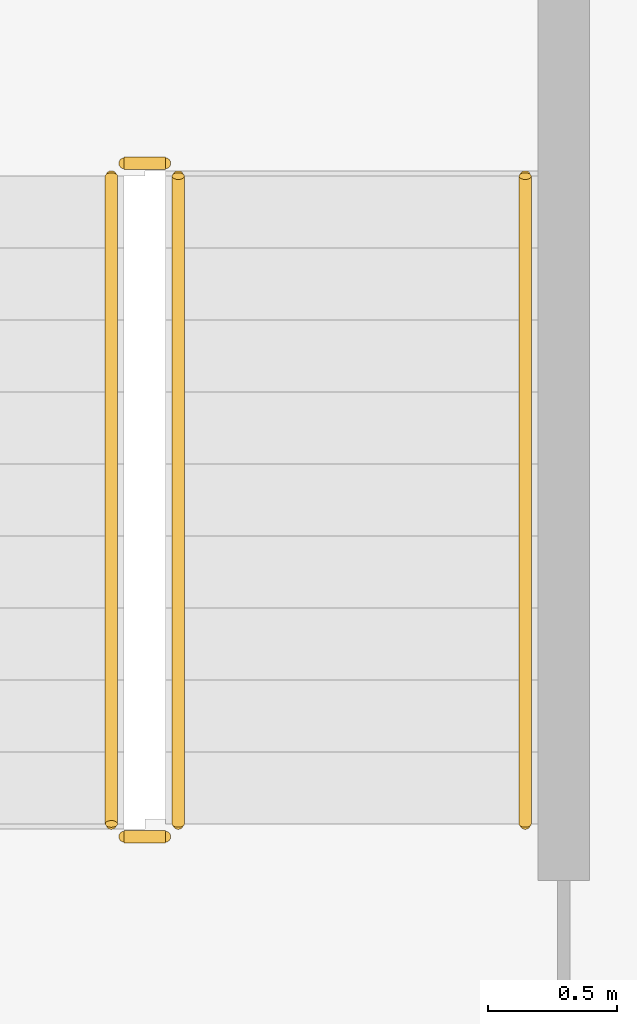
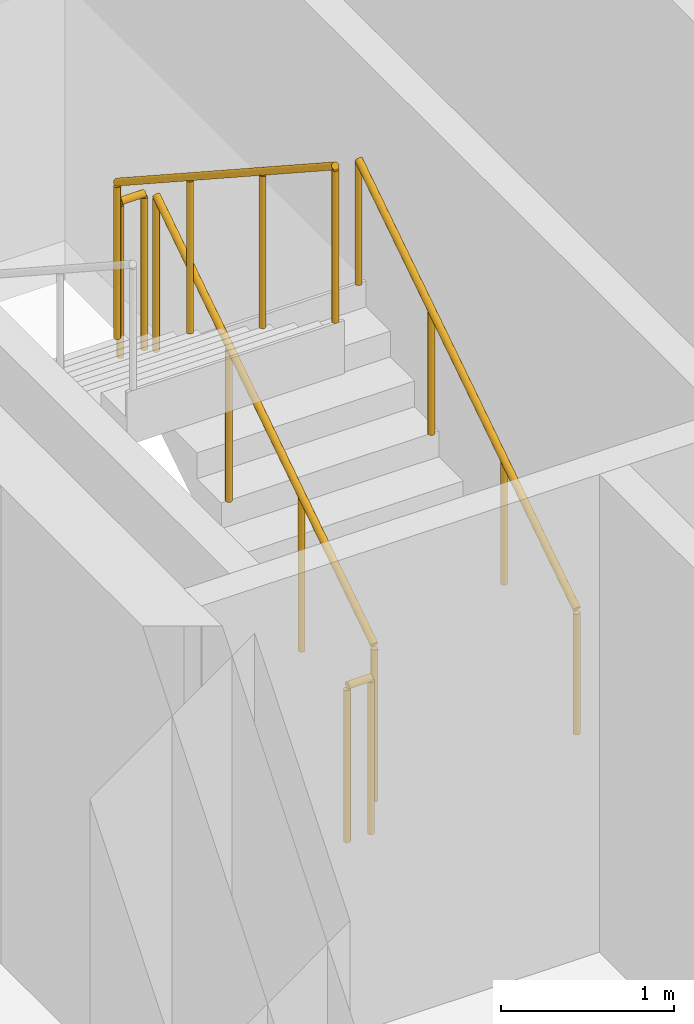
# One storey, part 12 of 14: 5 railings.
"""IFC4 building model written with IfcOpenShell, lengths in metres."""

from ifc_helpers import new_model, si_unit, direction, frame, origin, origin_2d, place, context, subcontext, project, spatial, circle, extrude, material, type_object, element, save


model = new_model("IFC4")

# Units and contexts
model_context = context("Model", 3, precision=1e-05, world=origin(), true_north=direction((0.0, 1.0)))
body_context = subcontext(model_context, "Body", "Model", "MODEL_VIEW")
ifc_project = project(units=[si_unit("LENGTHUNIT", "METRE"), si_unit("AREAUNIT", "SQUARE_METRE"), si_unit("VOLUMEUNIT", "CUBIC_METRE"), si_unit("PLANEANGLEUNIT", "RADIAN"), si_unit("MASSUNIT", "GRAM", prefix="KILO")], contexts=[model_context])

# Site, building, storey
site_placement = place(None, origin())
site = spatial("IfcSite", under=ifc_project, at=site_placement, CompositionType="ELEMENT")
building_placement = place(site_placement, origin())
building = spatial("IfcBuilding", under=site, at=building_placement, Name="Nuvemarco Arch Tower", CompositionType="ELEMENT")
storey_placement = place(building_placement, frame((0.0, 0.0, 109.25)))
storey = spatial("IfcBuildingStorey", under=building, at=storey_placement, Name="L28", CompositionType="ELEMENT", Elevation=109.25)

# Railings
ifc_material_1 = material(Name="Brushed stainless steel handrail", Category="steel")
railing_type_1 = type_object("IfcRailingType", Name="RL-HANDRAIL-900", PredefinedType="HANDRAIL", material=ifc_material_1)
railing_1_placement = place(storey_placement, frame((-13.590087890625, 2.64990234375, 0.1826171875)))
element("IfcRailing", 1, at=railing_1_placement, inside=storey, type_object=railing_type_1, Name="L28 ST-1 stair handrail 1", PredefinedType="HANDRAIL", context=body_context, shape_type="SweptSolid", body=[
    extrude(circle(Radius=0.02392578125, at=origin_2d()), frame((0.0, 0.0, 0.8759765625), z_axis=(0.0, 0.837786554691, 0.545997883492), x_axis=(-1.0, 0.0, 0.0)), (0.0, 0.0, 1.0), 3.008056640625),
    extrude(circle(Radius=0.02099609375, at=origin_2d()), origin(), (0.0, 0.0, 1.0), 0.851806640625),
    extrude(circle(Radius=0.02099609375, at=origin_2d()), frame((0.0, 0.840087890625, 0.54736328125)), (0.0, 0.0, 1.0), 0.851806640625),
    extrude(circle(Radius=0.02099609375, at=origin_2d()), frame((0.0, 1.679931640625, 1.094970703125)), (0.0, 0.0, 1.0), 0.851806640625),
    extrude(circle(Radius=0.02099609375, at=origin_2d()), frame((0.0, 2.52001953125, 1.642333984375)), (0.0, 0.0, 1.0), 0.851806640625),
])
ifc_material_2 = material(Name="Painted balustrade steel S355", Category="steel")
railing_type_2 = type_object("IfcRailingType", Name="RL-STAIR-GUARD", PredefinedType="GUARDRAIL", material=ifc_material_2)
railing_2_placement = place(storey_placement, frame((-14.93994140625, 2.64990234375, 0.1826171875)))
element("IfcRailing", 2, at=railing_2_placement, inside=storey, type_object=railing_type_2, Name="L28 ST-1 stair guard 1", PredefinedType="GUARDRAIL", context=body_context, shape_type="SweptSolid", body=[
    extrude(circle(Radius=0.02392578125, at=origin_2d()), frame((0.0, 0.0, 1.09619140625), z_axis=(0.0, 0.837786554691, 0.545997883492), x_axis=(-1.0, 0.0, 0.0)), (0.0, 0.0, 1.0), 3.008056640625),
    extrude(circle(Radius=0.02099609375, at=origin_2d()), origin(), (0.0, 0.0, 1.0), 1.072021484375),
    extrude(circle(Radius=0.02099609375, at=origin_2d()), frame((0.0, 0.840087890625, 0.54736328125)), (0.0, 0.0, 1.0), 1.072021484375),
    extrude(circle(Radius=0.02099609375, at=origin_2d()), frame((0.0, 1.679931640625, 1.094970703125)), (0.0, 0.0, 1.0), 1.072021484375),
    extrude(circle(Radius=0.02099609375, at=origin_2d()), frame((0.0, 2.52001953125, 1.642333984375)), (0.0, 0.0, 1.0), 1.072021484375),
])
railing_3_placement = place(storey_placement, frame((-14.989990234375, 5.219970703125, 1.824951171875)))
element("IfcRailing", 3, at=railing_3_placement, inside=storey, type_object=railing_type_2, Name="L28 ST-1 stair guard 2", PredefinedType="GUARDRAIL", context=body_context, shape_type="SweptSolid", body=[
    extrude(circle(Radius=0.02392578125, at=origin_2d()), frame((0.0, 0.0, 1.09619140625), z_axis=(-1.0, 0.0, 0.0), x_axis=(0.0, -1.0, 0.0)), (0.0, 0.0, 1.0), 0.159912109375),
    extrude(circle(Radius=0.02099609375, at=origin_2d()), origin(), (0.0, 0.0, 1.0), 1.072021484375),
    extrude(circle(Radius=0.02099609375, at=origin_2d()), frame((-0.159912109375, 0.0, 0.0)), (0.0, 0.0, 1.0), 1.072021484375),
])
railing_4_placement = place(storey_placement, frame((-15.199951171875, 5.169921875, 2.007568359375)))
element("IfcRailing", 4, at=railing_4_placement, inside=storey, type_object=railing_type_2, Name="L28 ST-1 stair guard 3", PredefinedType="GUARDRAIL", context=body_context, shape_type="SweptSolid", body=[
    extrude(circle(Radius=0.02392578125, at=origin_2d()), frame((0.0, 0.0, 1.09619140625), z_axis=(0.0, -0.837786554691, 0.545997883492), x_axis=(1.0, 0.0, 0.0)), (0.0, 0.0, 1.0), 3.008056640625),
    extrude(circle(Radius=0.02099609375, at=origin_2d()), origin(), (0.0, 0.0, 1.0), 1.072021484375),
    extrude(circle(Radius=0.02099609375, at=origin_2d()), frame((0.0, -0.840087890625, 0.54736328125)), (0.0, 0.0, 1.0), 1.072021484375),
    extrude(circle(Radius=0.02099609375, at=origin_2d()), frame((0.0, -1.679931640625, 1.094970703125)), (0.0, 0.0, 1.0), 1.072021484375),
    extrude(circle(Radius=0.02099609375, at=origin_2d()), frame((0.0, -2.52001953125, 1.642333984375)), (0.0, 0.0, 1.0), 1.072021484375),
])
railing_5_placement = place(storey_placement, frame((-14.989990234375, 2.60009765625, 0.0)))
element("IfcRailing", 5, at=railing_5_placement, inside=storey, type_object=railing_type_2, Name="L28 ST-1 stair guard 4", PredefinedType="GUARDRAIL", context=body_context, shape_type="SweptSolid", body=[
    extrude(circle(Radius=0.02392578125, at=origin_2d()), frame((0.0, 0.0, 1.09619140625), z_axis=(-1.0, 0.0, 0.0), x_axis=(0.0, -1.0, 0.0)), (0.0, 0.0, 1.0), 0.159912109375),
    extrude(circle(Radius=0.02099609375, at=origin_2d()), origin(), (0.0, 0.0, 1.0), 1.072021484375),
    extrude(circle(Radius=0.02099609375, at=origin_2d()), frame((-0.159912109375, 0.0, 0.0)), (0.0, 0.0, 1.0), 1.072021484375),
])

save(model, "model.ifc")
